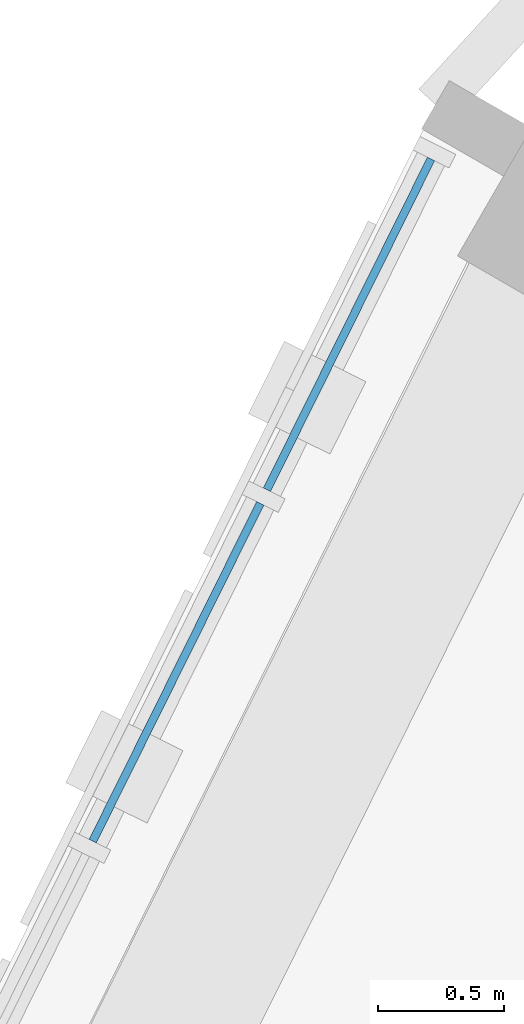
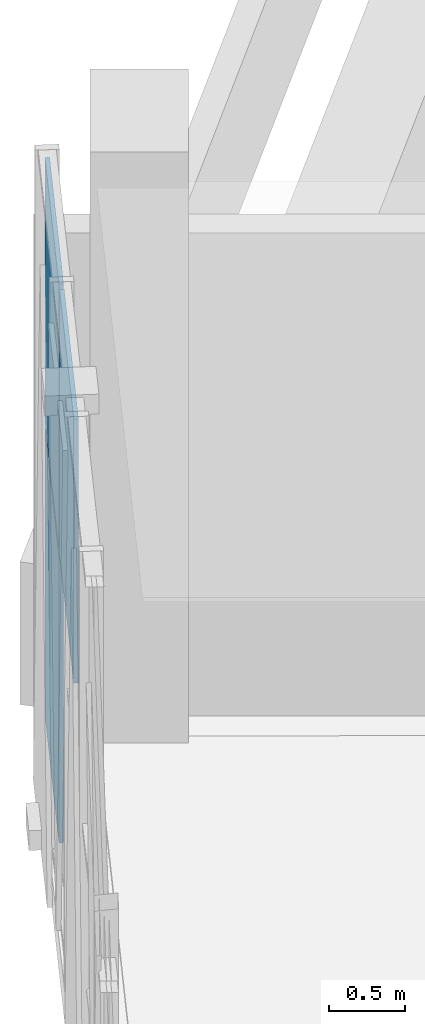
# One storey, part 37 of 64: 3 plates, 1 element without a shape of its own.
"""IFC4 building model written with IfcOpenShell, lengths in metres."""

import ifcopenshell
import ifcopenshell.guid

model = None  # the IFC model being written
_history = None  # IfcOwnerHistory: only IFC2X3 demands one
_inside = {}  # id of a spatial element -> (the spatial element, [elements in it])
_under = {}  # id of a project, library or spatial element -> (it, [spatial elements below it])
_declared = {}  # id of a project -> (the project, [libraries it declares])
_typed = {}  # id of a type object -> (the type object, [elements of that type])
_made_of = {}  # id of a material, layer set ... -> (it, [elements and type objects made of it])


def new_model(schema):
    """Start an empty IFC model of exactly this schema.

    Asked for "IFC4X3", IfcOpenShell would pick the latest addendum, in which some entities
    have other attributes; the version numbers below select the first issue.
    IFC2X3 requires an IfcOwnerHistory on every rooted entity: one is made here for all.
    """
    global model, _history
    if schema == "IFC4X3":
        model = ifcopenshell.file(schema_version=(4, 3, 0, 0))
    else:
        model = ifcopenshell.file(schema=schema)
    _inside.clear()
    _under.clear()
    _declared.clear()
    _typed.clear()
    _made_of.clear()
    _history = None
    if model.schema == "IFC2X3":
        org = make("IfcOrganization", Name="unknown")
        user = make(
            "IfcPersonAndOrganization",
            ThePerson=make("IfcPerson", FamilyName="unknown"),
            TheOrganization=org,
        )
        app = make(
            "IfcApplication",
            ApplicationDeveloper=org,
            Version="unknown",
            ApplicationFullName="unknown",
            ApplicationIdentifier="unknown",
        )
        _history = make(
            "IfcOwnerHistory",
            OwningUser=user,
            OwningApplication=app,
            ChangeAction="ADDED",
            CreationDate=0,
        )
    return model


def make(cls, **values):
    """One entity of the class cls with the attributes given. An attribute that is None is left unset."""
    return model.create_entity(
        cls, **{name: value for name, value in values.items() if value is not None}
    )


def rooted(cls, **values):
    """An entity with a GlobalId (a new one), such as an element, a storey or a relation."""
    return make(cls, GlobalId=ifcopenshell.guid.new(), OwnerHistory=_history, **values)


def si_unit(unit_type, name, prefix=None):
    """IfcSIUnit, for example si_unit("LENGTHUNIT", "METRE", prefix="MILLI")."""
    return make("IfcSIUnit", UnitType=unit_type, Prefix=prefix, Name=name)


def assignment(units):
    """IfcUnitAssignment: the units of a project."""
    return None if units is None else make("IfcUnitAssignment", Units=units)


def point(xyz):
    """IfcCartesianPoint."""
    return None if xyz is None else make("IfcCartesianPoint", Coordinates=xyz)


def direction(xyz):
    """IfcDirection."""
    return None if xyz is None else make("IfcDirection", DirectionRatios=xyz)


def frame(location, z_axis=None, x_axis=None):
    """IfcAxis2Placement3D, a coordinate frame: its origin and axes. An axis left out is left unset."""
    return make(
        "IfcAxis2Placement3D",
        Location=point(location),
        Axis=direction(z_axis),
        RefDirection=direction(x_axis),
    )


def frame_2d(location, x_axis=None):
    """IfcAxis2Placement2D, a coordinate frame in the plane: its origin and x axis."""
    return make(
        "IfcAxis2Placement2D", Location=point(location), RefDirection=direction(x_axis)
    )


def origin():
    """The frame at (0, 0, 0) with its axes left unset."""
    return frame((0.0, 0.0, 0.0))


def origin_2d():
    """The frame at (0, 0) in the plane with its x axis left unset."""
    return frame_2d((0.0, 0.0))


def place(relative_to, where):
    """IfcLocalPlacement: puts the frame where relative to a parent placement (None: the world)."""
    return make(
        "IfcLocalPlacement", PlacementRelTo=relative_to, RelativePlacement=where
    )


def context(
    kind, dimensions, precision=None, world=None, true_north=None, identifier=None
):
    """IfcGeometricRepresentationContext, for example the 3D "Model" context."""
    return make(
        "IfcGeometricRepresentationContext",
        ContextIdentifier=identifier,
        ContextType=kind,
        CoordinateSpaceDimension=dimensions,
        Precision=precision,
        WorldCoordinateSystem=world,
        TrueNorth=true_north,
    )


def subcontext(parent, identifier, kind, view, scale=None):
    """IfcGeometricRepresentationSubContext, for example "Body" below "Model"."""
    return make(
        "IfcGeometricRepresentationSubContext",
        ContextIdentifier=identifier,
        ContextType=kind,
        ParentContext=parent,
        TargetScale=scale,
        TargetView=view,
    )


def project(units=None, contexts=None):
    """IfcProject with its units and contexts."""
    return rooted(
        "IfcProject",
        Name="project",
        RepresentationContexts=contexts,
        UnitsInContext=assignment(units),
    )


def spatial(cls, under=None, at=None, **own):
    """A site, building, storey or space (cls), placed at a placement, below another one or the project."""
    s = rooted(cls, ObjectPlacement=at, **own)
    if under is not None:
        _under.setdefault(under.id(), (under, []))[1].append(s)
    return s


def profile(cls, at=None, kind="AREA", **sizes):
    """A parametric profile (cls). Its sizes go by their IFC names, for example OverallWidth=200.0."""
    return make(cls, ProfileType=kind, Position=at, **sizes)


def rectangle(**sizes):
    """IfcRectangleProfileDef."""
    return profile("IfcRectangleProfileDef", **sizes)


def extrude(swept, where, along, depth):
    """IfcExtrudedAreaSolid: the profile swept, set in the frame where, extruded along a direction by depth."""
    return make(
        "IfcExtrudedAreaSolid",
        SweptArea=swept,
        Position=where,
        ExtrudedDirection=direction(along),
        Depth=depth,
    )


def shape(context_of_items, identifier, shape_type, items):
    """IfcShapeRepresentation: the items that make up one representation, for example the "Body"."""
    return make(
        "IfcShapeRepresentation",
        ContextOfItems=context_of_items,
        RepresentationIdentifier=identifier,
        RepresentationType=shape_type,
        Items=items,
    )


def material(Name=None, Category=None):
    """IfcMaterial."""
    return make("IfcMaterial", Name=Name, Category=Category)


def layer(
    of_material, thickness, ventilated=None, Name=None, Category=None, Priority=None
):
    """IfcMaterialLayer: one layer of a wall or slab, of a material (None: an air gap)."""
    return make(
        "IfcMaterialLayer",
        Material=of_material,
        LayerThickness=thickness,
        IsVentilated=ventilated,
        Name=Name,
        Category=Category,
        Priority=Priority,
    )


def layer_set(layers, Name=None):
    """IfcMaterialLayerSet."""
    return make("IfcMaterialLayerSet", MaterialLayers=layers, LayerSetName=Name)


def made_of(thing, what):
    """Note that an element or type object is made of a material, layer set ...; save() writes the relation."""
    if what is not None:
        _made_of.setdefault(what.id(), (what, []))[1].append(thing)
    return thing


def type_object(cls, material=None, **own):
    """A type object (cls), such as IfcWallType, which elements share."""
    return made_of(rooted(cls, **own), material)


def element(
    cls,
    number,
    at=None,
    inside=None,
    cuts=None,
    type_object=None,
    material=None,
    context=None,
    identifier="Body",
    shape_type=None,
    held_by="IfcProductDefinitionShape",
    body=None,
    shapes=None,
    **own,
):
    """One element of the class cls, such as IfcWall. Its Tag is "e" and its number.

    at: its placement. inside: the storey or other place that contains it. cuts: it is an
    opening in that element (IfcRelVoidsElement). A single representation is given by context,
    identifier, shape_type and body (its items); several are given by shapes. held_by: the class
    of the entity that holds the representations. save() writes the other relations.
    """
    e = rooted(cls, Tag="e%d" % number, ObjectPlacement=at, **own)
    if body is not None:
        shapes = [shape(context, identifier, shape_type, body)]
    if shapes is not None:
        e.Representation = make(held_by, Representations=shapes)
    if inside is not None:
        _inside.setdefault(inside.id(), (inside, []))[1].append(e)
    if cuts is not None:
        rooted(
            "IfcRelVoidsElement", RelatingBuildingElement=cuts, RelatedOpeningElement=e
        )
    if type_object is not None:
        _typed.setdefault(type_object.id(), (type_object, []))[1].append(e)
    return made_of(e, material)


def aggregate(whole, parts):
    """IfcRelAggregates: a whole, such as a stair, and the parts it consists of."""
    return rooted("IfcRelAggregates", RelatingObject=whole, RelatedObjects=parts)


def save(model, path):
    """Write the relations noted so far, then the file.

    IfcRelAggregates (storeys below a building ...), IfcRelContainedInSpatialStructure (elements
    in a storey), IfcRelDefinesByType, IfcRelAssociatesMaterial and IfcRelDeclares: one each for
    every whole, place, type object, material and project.
    """
    for whole, parts in _under.values():
        aggregate(whole, parts)
    for where, things in _inside.values():
        rooted(
            "IfcRelContainedInSpatialStructure",
            RelatedElements=things,
            RelatingStructure=where,
        )
    for kind, things in _typed.values():
        rooted("IfcRelDefinesByType", RelatedObjects=things, RelatingType=kind)
    for what, things in _made_of.values():
        rooted("IfcRelAssociatesMaterial", RelatedObjects=things, RelatingMaterial=what)
    for by, libraries in _declared.values():
        rooted("IfcRelDeclares", RelatingContext=by, RelatedDefinitions=libraries)
    model.write(path)


model = new_model("IFC4")

# Units and contexts
model_context = context("Model", 3, precision=1e-05, world=origin(), true_north=direction((0.0, 1.0)))
body_context = subcontext(model_context, "Body", "Model", "MODEL_VIEW")
ifc_project = project(units=[si_unit("LENGTHUNIT", "METRE"), si_unit("AREAUNIT", "SQUARE_METRE"), si_unit("VOLUMEUNIT", "CUBIC_METRE"), si_unit("PLANEANGLEUNIT", "RADIAN"), si_unit("MASSUNIT", "GRAM", prefix="KILO")], contexts=[model_context])

# Site, building, storey
site_placement = place(None, origin())
site = spatial("IfcSite", under=ifc_project, at=site_placement, CompositionType="ELEMENT")
building_placement = place(site_placement, origin())
building = spatial("IfcBuilding", under=site, at=building_placement, Name="Zevraka Park Crest Stadium", CompositionType="ELEMENT")
storey_placement = place(building_placement, frame((0.0, 0.0, 24.60009765625)))
storey = spatial("IfcBuildingStorey", under=building, at=storey_placement, Name="L05", CompositionType="ELEMENT", Elevation=24.60009765625)

# Curtain wall, plates
ifc_material_1 = material(Name="Anodised architectural aluminium and laminated safety glass", Category="aluminium")
curtain_wall_type = type_object("IfcCurtainWallType", Name="CW22", PredefinedType="NOTDEFINED", material=ifc_material_1)
curtain_wall_placement = place(storey_placement, origin())
curtain_wall = element("IfcCurtainWall", 1, at=curtain_wall_placement, inside=storey, type_object=curtain_wall_type, Name="Unitised Ring Curtain Wall CW22 L05-10", PredefinedType="NOTDEFINED")
ifc_material_2 = material(Name="Solar-control laminated double glazing", Category="glass")
ifc_layer = layer(ifc_material_2, 0.031982421875)
ifc_layer_set = layer_set([ifc_layer], Name="Solar-control laminated double glazing")
plate_type = type_object("IfcPlateType", Name="CP22", PredefinedType="CURTAIN_PANEL", material=ifc_layer_set)
plate_1_placement = place(storey_placement, frame((32.849609375, 129.130126953125, 0.059814453125), z_axis=(0.0, 0.0, 1.0), x_axis=(-0.444297471499, -0.895879320455, 0.0)))
plate_1 = element("IfcPlate", 2, at=plate_1_placement, type_object=plate_type, Name="CW22 panel 1.1", PredefinedType="CURTAIN_PANEL", context=body_context, shape_type="SweptSolid", body=[
    extrude(rectangle(XDim=1.46240234375, YDim=0.031982421875, at=origin_2d()), origin(), (0.0, 0.0, 1.0), 2.31005859375),
])
plate_2_placement = place(storey_placement, frame((32.849609375, 129.130126953125, 2.429931640625), z_axis=(0.0, 0.0, 1.0), x_axis=(-0.444297471499, -0.895879320455, 0.0)))
plate_2 = element("IfcPlate", 3, at=plate_2_placement, type_object=plate_type, Name="CW22 panel 1.2", PredefinedType="CURTAIN_PANEL", context=body_context, shape_type="SweptSolid", body=[
    extrude(rectangle(XDim=1.46240234375, YDim=0.031982421875, at=origin_2d()), origin(), (0.0, 0.0, 1.0), 2.1298828125),
])
plate_3_placement = place(storey_placement, frame((32.16650390625, 127.7529296875, 2.429931640625), z_axis=(0.0, 0.0, 1.0), x_axis=(-0.444297471499, -0.895879320455, 0.0)))
plate_3 = element("IfcPlate", 4, at=plate_3_placement, type_object=plate_type, Name="CW22 panel 2.2", PredefinedType="CURTAIN_PANEL", context=body_context, shape_type="SweptSolid", body=[
    extrude(rectangle(XDim=1.492431640625, YDim=0.031982421875, at=origin_2d()), origin(), (0.0, 0.0, 1.0), 2.1298828125),
])
aggregate(curtain_wall, [plate_1, plate_2, plate_3])

save(model, "model.ifc")
